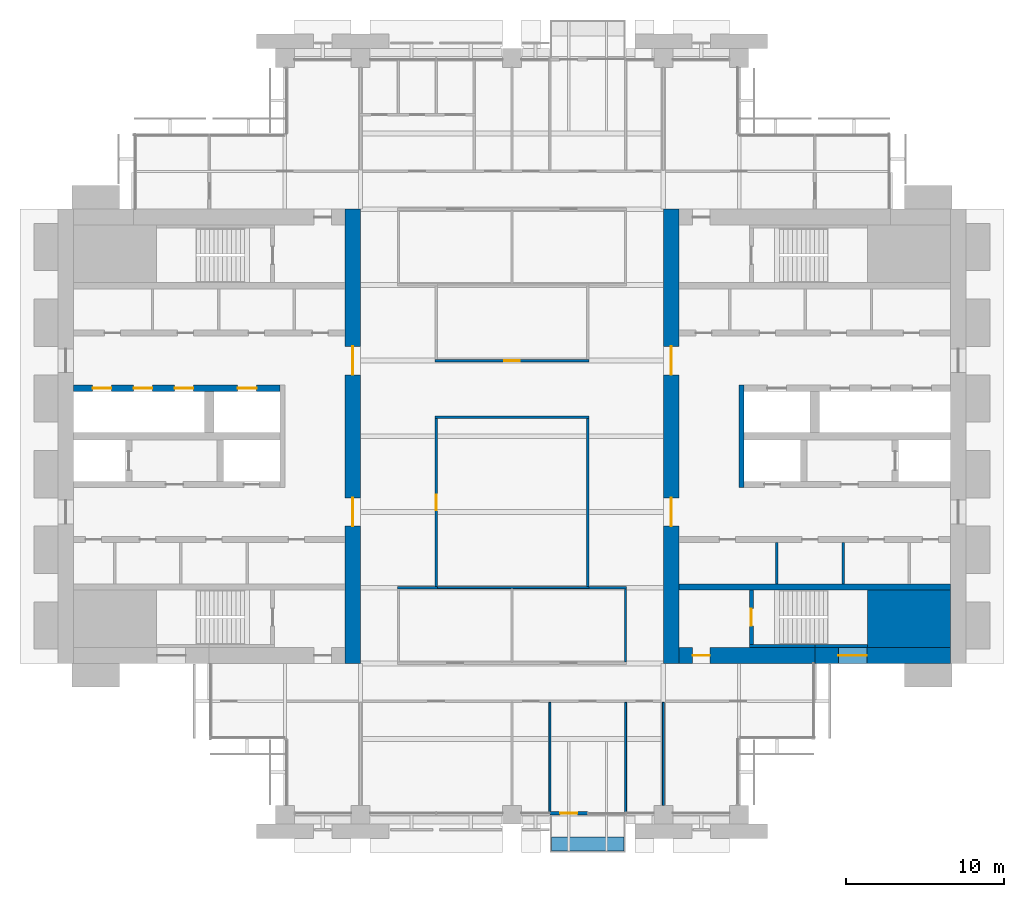
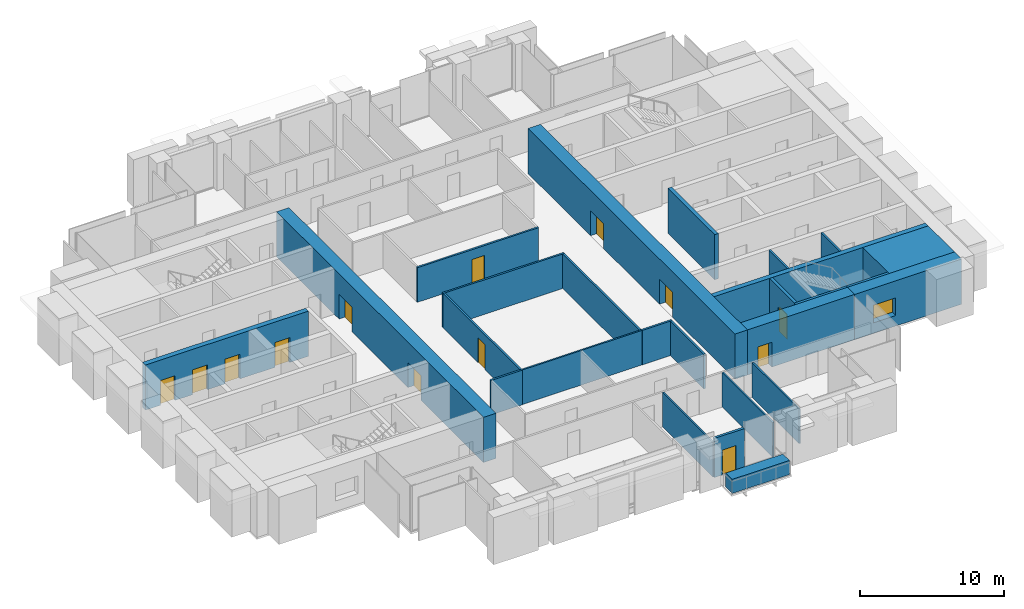
# One storey, part 10 of 15: 26 walls, 13 doors, 1 window, 14 openings.
"""IFC4 building model written with IfcOpenShell, lengths in metres."""

from ifc_helpers import new_model, si_unit, direction, frame, frame_2d, origin, place, context, subcontext, project, spatial, rectangle, extrude, material, layer, layer_set, type_object, element, fill, save


model = new_model("IFC4")

# Units and contexts
model_context = context("Model", 3, precision=1e-05, world=origin(), true_north=direction((0.0, 1.0)))
body_context = subcontext(model_context, "Body", "Model", "MODEL_VIEW")
ifc_project = project(units=[si_unit("LENGTHUNIT", "METRE"), si_unit("AREAUNIT", "SQUARE_METRE"), si_unit("VOLUMEUNIT", "CUBIC_METRE"), si_unit("PLANEANGLEUNIT", "RADIAN"), si_unit("MASSUNIT", "GRAM", prefix="KILO")], contexts=[model_context])

# Site, building, storey
site_placement = place(None, origin())
site = spatial("IfcSite", under=ifc_project, at=site_placement, CompositionType="ELEMENT")
building_placement = place(site_placement, origin())
building = spatial("IfcBuilding", under=site, at=building_placement, Name="Baori Bourse Tower", CompositionType="ELEMENT")
storey_placement = place(building_placement, frame((0.0, 0.0, 140.10009765625)))
storey = spatial("IfcBuildingStorey", under=building, at=storey_placement, Name="L30", CompositionType="ELEMENT", Elevation=140.10009765625)

# Walls
ifc_material_1 = material(Name="Concrete f'c 60 MPa", Category="concrete")
wall_type_1 = type_object("IfcWallType", Name="Core corner block f'c 60", PredefinedType="SHEAR", material=ifc_material_1)
wall_1_placement = place(storey_placement, frame((51.35009765625, 12.425048828125, 0.0), z_axis=(0.0, 0.0, 1.0), x_axis=(1.0, 0.0, 0.0)))
element("IfcWall", 1, at=wall_1_placement, inside=storey, type_object=wall_type_1, Name="Core wall E05", PredefinedType="SHEAR", context=body_context, shape_type="SweptSolid", body=[
    extrude(rectangle(XDim=5.25, YDim=3.64990234375, at=frame_2d((2.625, 0.0))), origin(), (0.0, 0.0, 1.0), 3.83984375),
])
ifc_material_2 = material(Name="Blockwork partition", Category="masonry")
ifc_layer_1 = layer(ifc_material_2, 0.14990234375)
ifc_layer_set_1 = layer_set([ifc_layer_1], Name="Core partition 150")
wall_type_2 = type_object("IfcWallType", Name="Core partition 150", PredefinedType="PARTITIONING", material=ifc_layer_set_1)
for number, where, z_axis, x_axis, name in (
    (2, (49.800048828125, 14.64990234375, 0.0), (0.0, 0.0, 1.0), (0.0, 1.0, 0.0), "Partition wall E11"),
    (3, (45.60009765625, 14.64990234375, 0.0), (0.0, 0.0, 1.0), (0.0, 1.0, 0.0), "Partition wall E12"),
):
    element("IfcWall", number, at=place(storey_placement, frame(where, z_axis=z_axis, x_axis=x_axis)), inside=storey, type_object=wall_type_2, Name=name, PredefinedType="PARTITIONING", context=body_context, shape_type="SweptSolid", body=[
        extrude(rectangle(XDim=2.60009765625, YDim=0.14990234375, at=frame_2d((1.300048828125, 0.0))), origin(), (0.0, 0.0, 1.0), 3.83984375),
    ])

# Wall, openings, doors
ifc_material_3 = material(Name="Concrete f'c 60 MPa", Category="concrete")
ifc_layer_2 = layer(ifc_material_3, 1.0)
ifc_layer_set_2 = layer_set([ifc_layer_2], Name="Core wall 1000 f'c 60")
wall_type_3 = type_object("IfcWallType", Name="Core wall 1000 f'c 60", PredefinedType="SHEAR", material=ifc_layer_set_2)
wall_2_placement = place(storey_placement, frame((18.699951171875, 38.39990234375, 0.0), z_axis=(0.0, 0.0, 1.0), x_axis=(0.0, -1.0, 0.0)))
wall_2 = element("IfcWall", 4, at=wall_2_placement, inside=storey, type_object=wall_type_3, Name="Core wall W04", PredefinedType="SHEAR", context=body_context, shape_type="SweptSolid", body=[
    extrude(rectangle(XDim=28.7998046875, YDim=1.0, at=frame_2d((14.39990234375, 0.0))), origin(), (0.0, 0.0, 1.0), 3.83984375),
])
opening_1_placement = place(wall_2_placement, frame((18.300048828125, 0.0, 0.0)))
opening_1 = element("IfcOpeningElement", 5, at=opening_1_placement, cuts=wall_2, Name="Opening L30-D107", PredefinedType="OPENING", context=body_context, shape_type="SweptSolid", body=[
    extrude(rectangle(XDim=1.800048828125, YDim=2.10009765625, at=frame_2d((0.89990234375, 1.050048828125))), frame((0.0, 0.510009765625, 0.0), z_axis=(0.0, -1.0, 0.0), x_axis=(1.0, 0.0, 0.0)), (0.0, 0.0, 1.0), 1.02001953125),
])
opening_2_placement = place(wall_2_placement, frame((8.699951171875, 0.0, 0.0)))
opening_2 = element("IfcOpeningElement", 6, at=opening_2_placement, cuts=wall_2, Name="Opening L30-D108", PredefinedType="OPENING", context=body_context, shape_type="SweptSolid", body=[
    extrude(rectangle(XDim=1.800048828125, YDim=2.10009765625, at=frame_2d((0.89990234375, 1.050048828125))), frame((0.0, 0.510009765625, 0.0), z_axis=(0.0, -1.0, 0.0), x_axis=(1.0, 0.0, 0.0)), (0.0, 0.0, 1.0), 1.02001953125),
])
ifc_material_4 = material(Name="Painted steel door", Category="steel")
door_type_1 = type_object("IfcDoorType", Name="Core lobby door 1800", OperationType="DOUBLE_DOOR_SINGLE_SWING", PredefinedType="DOOR", material=ifc_material_4)
door_1_placement = place(opening_1_placement, origin())
door_1 = element("IfcDoor", 7, at=door_1_placement, inside=storey, type_object=door_type_1, Name="Lobby door W L30", OperationType="DOUBLE_DOOR_SINGLE_SWING", OverallHeight=2.10009765625, OverallWidth=1.800048828125, PredefinedType="DOOR", context=body_context, shape_type="SweptSolid", body=[
    extrude(rectangle(XDim=1.800048828125, YDim=2.10009765625, at=frame_2d((0.89990234375, 1.050048828125))), frame((0.0, 0.02490234375, 0.0), z_axis=(0.0, -1.0, 0.0), x_axis=(1.0, 0.0, 0.0)), (0.0, 0.0, 1.0), 0.050048828125),
])
fill(opening_1, door_1)
door_2_placement = place(opening_2_placement, origin())
door_2 = element("IfcDoor", 8, at=door_2_placement, inside=storey, type_object=door_type_1, Name="Lobby door W L30", OperationType="DOUBLE_DOOR_SINGLE_SWING", OverallHeight=2.10009765625, OverallWidth=1.800048828125, PredefinedType="DOOR", context=body_context, shape_type="SweptSolid", body=[
    extrude(rectangle(XDim=1.800048828125, YDim=2.10009765625, at=frame_2d((0.89990234375, 1.050048828125))), frame((0.0, 0.02490234375, 0.0), z_axis=(0.0, -1.0, 0.0), x_axis=(1.0, 0.0, 0.0)), (0.0, 0.0, 1.0), 0.050048828125),
])
fill(opening_2, door_2)

# Wall, opening, window
wall_3_placement = place(storey_placement, frame((56.60009765625, 10.10009765625, 0.0), z_axis=(0.0, 0.0, 1.0), x_axis=(-1.0, 0.0, 0.0)))
wall_3 = element("IfcWall", 9, at=wall_3_placement, inside=storey, type_object=wall_type_3, Name="Core wall E02", PredefinedType="SHEAR", context=body_context, shape_type="SweptSolid", body=[
    extrude(rectangle(XDim=8.60009765625, YDim=1.0, at=frame_2d((4.300048828125, 0.0))), origin(), (0.0, 0.0, 1.0), 3.83984375),
])
opening_3_placement = place(wall_3_placement, frame((5.300048828125, 0.0, 0.89990234375)))
opening_3 = element("IfcOpeningElement", 10, at=opening_3_placement, cuts=wall_3, Name="Opening L30-KW203", PredefinedType="OPENING", context=body_context, shape_type="SweptSolid", body=[
    extrude(rectangle(XDim=1.800048828125, YDim=1.5, at=frame_2d((0.89990234375, 0.75))), frame((0.0, 0.510009765625, 0.0), z_axis=(0.0, -1.0, 0.0), x_axis=(1.0, 0.0, 0.0)), (0.0, 0.0, 1.0), 1.02001953125),
])
ifc_material_5 = material(Name="Pale anodised aluminium", Category="aluminium")
window_type = type_object("IfcWindowType", Name="Stair window 1800 x 1500", PartitioningType="SINGLE_PANEL", PredefinedType="WINDOW", material=ifc_material_5)
window_placement = place(opening_3_placement, origin())
window = element("IfcWindow", 11, at=window_placement, inside=storey, type_object=window_type, Name="Stair window E L30 3", OverallHeight=1.5, OverallWidth=1.800048828125, PartitioningType="SINGLE_PANEL", PredefinedType="WINDOW", context=body_context, shape_type="SweptSolid", body=[
    extrude(rectangle(XDim=1.800048828125, YDim=1.5, at=frame_2d((0.89990234375, 0.75))), frame((0.0, 0.030029296875, 0.0), z_axis=(0.0, -1.0, 0.0), x_axis=(1.0, 0.0, 0.0)), (0.0, 0.0, 1.0), 0.06005859375),
])
fill(opening_3, window)

# Wall, opening, door
wall_4_placement = place(storey_placement, frame((48.0, 10.10009765625, 0.0), z_axis=(0.0, 0.0, 1.0), x_axis=(-1.0, 0.0, 0.0)))
wall_4 = element("IfcWall", 12, at=wall_4_placement, inside=storey, type_object=wall_type_3, Name="Core wall E03", PredefinedType="SHEAR", context=body_context, shape_type="SweptSolid", body=[
    extrude(rectangle(XDim=8.60009765625, YDim=1.0, at=frame_2d((4.300048828125, 0.0))), origin(), (0.0, 0.0, 1.0), 3.83984375),
])
opening_4_placement = place(wall_4_placement, frame((6.64990234375, 0.0, 0.0)))
opening_4 = element("IfcOpeningElement", 13, at=opening_4_placement, cuts=wall_4, Name="Opening L30-D202", PredefinedType="OPENING", context=body_context, shape_type="SweptSolid", body=[
    extrude(rectangle(XDim=1.10009765625, YDim=2.10009765625, at=frame_2d((0.550048828125, 1.050048828125))), frame((0.0, 0.510009765625, 0.0), z_axis=(0.0, -1.0, 0.0), x_axis=(1.0, 0.0, 0.0)), (0.0, 0.0, 1.0), 1.02001953125),
])
ifc_material_6 = material(Name="Painted steel door", Category="steel")
door_type_2 = type_object("IfcDoorType", Name="Stair door 1100", OperationType="SINGLE_SWING_LEFT", PredefinedType="DOOR", material=ifc_material_6)
door_3_placement = place(opening_4_placement, origin())
door_3 = element("IfcDoor", 14, at=door_3_placement, inside=storey, type_object=door_type_2, Name="Stair vestibule door A E L30", OperationType="SINGLE_SWING_LEFT", OverallHeight=2.10009765625, OverallWidth=1.10009765625, PredefinedType="DOOR", context=body_context, shape_type="SweptSolid", body=[
    extrude(rectangle(XDim=1.10009765625, YDim=2.10009765625, at=frame_2d((0.550048828125, 1.050048828125))), frame((0.0, 0.02490234375, 0.0), z_axis=(0.0, -1.0, 0.0), x_axis=(1.0, 0.0, 0.0)), (0.0, 0.0, 1.0), 0.050048828125),
])
fill(opening_4, door_3)

# Wall, openings, doors
wall_5_placement = place(storey_placement, frame((38.89990234375, 9.60009765625, 0.0), z_axis=(0.0, 0.0, 1.0), x_axis=(0.0, 1.0, 0.0)))
wall_5 = element("IfcWall", 15, at=wall_5_placement, inside=storey, type_object=wall_type_3, Name="Core wall E04", PredefinedType="SHEAR", context=body_context, shape_type="SweptSolid", body=[
    extrude(rectangle(XDim=28.7998046875, YDim=1.0, at=frame_2d((14.39990234375, 0.0))), origin(), (0.0, 0.0, 1.0), 3.83984375),
])
opening_5_placement = place(wall_5_placement, frame((8.699951171875, 0.0, 0.0)))
opening_5 = element("IfcOpeningElement", 16, at=opening_5_placement, cuts=wall_5, Name="Opening L30-D207", PredefinedType="OPENING", context=body_context, shape_type="SweptSolid", body=[
    extrude(rectangle(XDim=1.800048828125, YDim=2.10009765625, at=frame_2d((0.89990234375, 1.050048828125))), frame((0.0, 0.510009765625, 0.0), z_axis=(0.0, -1.0, 0.0), x_axis=(1.0, 0.0, 0.0)), (0.0, 0.0, 1.0), 1.02001953125),
])
opening_6_placement = place(wall_5_placement, frame((18.300048828125, 0.0, 0.0)))
opening_6 = element("IfcOpeningElement", 17, at=opening_6_placement, cuts=wall_5, Name="Opening L30-D208", PredefinedType="OPENING", context=body_context, shape_type="SweptSolid", body=[
    extrude(rectangle(XDim=1.800048828125, YDim=2.10009765625, at=frame_2d((0.89990234375, 1.050048828125))), frame((0.0, 0.510009765625, 0.0), z_axis=(0.0, -1.0, 0.0), x_axis=(1.0, 0.0, 0.0)), (0.0, 0.0, 1.0), 1.02001953125),
])
door_4_placement = place(opening_5_placement, origin())
door_4 = element("IfcDoor", 18, at=door_4_placement, inside=storey, type_object=door_type_1, Name="Lobby door E L30", OperationType="DOUBLE_DOOR_SINGLE_SWING", OverallHeight=2.10009765625, OverallWidth=1.800048828125, PredefinedType="DOOR", context=body_context, shape_type="SweptSolid", body=[
    extrude(rectangle(XDim=1.800048828125, YDim=2.10009765625, at=frame_2d((0.89990234375, 1.050048828125))), frame((0.0, 0.02490234375, 0.0), z_axis=(0.0, -1.0, 0.0), x_axis=(1.0, 0.0, 0.0)), (0.0, 0.0, 1.0), 0.050048828125),
])
fill(opening_5, door_4)
door_5_placement = place(opening_6_placement, origin())
door_5 = element("IfcDoor", 19, at=door_5_placement, inside=storey, type_object=door_type_1, Name="Lobby door E L30", OperationType="DOUBLE_DOOR_SINGLE_SWING", OverallHeight=2.10009765625, OverallWidth=1.800048828125, PredefinedType="DOOR", context=body_context, shape_type="SweptSolid", body=[
    extrude(rectangle(XDim=1.800048828125, YDim=2.10009765625, at=frame_2d((0.89990234375, 1.050048828125))), frame((0.0, 0.02490234375, 0.0), z_axis=(0.0, -1.0, 0.0), x_axis=(1.0, 0.0, 0.0)), (0.0, 0.0, 1.0), 0.050048828125),
])
fill(opening_6, door_5)

# Walls
ifc_material_7 = material(Name="Gypsum board partition")
ifc_layer_3 = layer(ifc_material_7, 0.14990234375)
ifc_layer_set_3 = layer_set([ifc_layer_3], Name="Corridor partition 150")
wall_type_4 = type_object("IfcWallType", Name="Corridor partition 150", PredefinedType="PARTITIONING", material=ifc_layer_set_3)
wall_6_placement = place(storey_placement, frame((21.52490234375, 14.39990234375, 0.0), z_axis=(0.0, 0.0, 1.0), x_axis=(1.0, 0.0, 0.0)))
element("IfcWall", 20, at=wall_6_placement, inside=storey, type_object=wall_type_4, Name="Partition", PredefinedType="PARTITIONING", context=body_context, shape_type="SweptSolid", body=[
    extrude(rectangle(XDim=2.550048828125, YDim=0.14990234375, at=frame_2d((1.27490234375, 0.0))), origin(), (0.0, 0.0, 1.0), 2.935546875),
])
wall_7_placement = place(storey_placement, frame((33.675048828125, 14.39990234375, 0.0), z_axis=(0.0, 0.0, 1.0), x_axis=(1.0, 0.0, 0.0)))
element("IfcWall", 21, at=wall_7_placement, inside=storey, type_object=wall_type_4, Name="Partition", PredefinedType="PARTITIONING", context=body_context, shape_type="SweptSolid", body=[
    extrude(rectangle(XDim=2.39990234375, YDim=0.14990234375, at=frame_2d((1.199951171875, 0.0))), origin(), (0.0, 0.0, 1.0), 2.935546875),
])
wall_8_placement = place(storey_placement, frame((23.925048828125, 25.199951171875, 0.0), z_axis=(0.0, 0.0, 1.0), x_axis=(1.0, 0.0, 0.0)))
element("IfcWall", 22, at=wall_8_placement, inside=storey, type_object=wall_type_4, Name="Partition", PredefinedType="PARTITIONING", context=body_context, shape_type="SweptSolid", body=[
    extrude(rectangle(XDim=9.75, YDim=0.14990234375, at=frame_2d((4.875, 0.0))), origin(), (0.0, 0.0, 1.0), 2.935546875),
])

# Wall, opening, door
wall_9_placement = place(storey_placement, frame((23.925048828125, 28.800048828125, 0.0), z_axis=(0.0, 0.0, 1.0), x_axis=(1.0, 0.0, 0.0)))
wall_9 = element("IfcWall", 23, at=wall_9_placement, inside=storey, type_object=wall_type_4, Name="Partition", PredefinedType="PARTITIONING", context=body_context, shape_type="SweptSolid", body=[
    extrude(rectangle(XDim=9.75, YDim=0.14990234375, at=frame_2d((4.875, 0.0))), origin(), (0.0, 0.0, 1.0), 2.935546875),
])
opening_7_placement = place(wall_9_placement, frame((4.375, 0.0, 0.0)))
opening_7 = element("IfcOpeningElement", 24, at=opening_7_placement, cuts=wall_9, Name="Opening L30-D09", PredefinedType="OPENING", context=body_context, shape_type="SweptSolid", body=[
    extrude(rectangle(XDim=1.0, YDim=2.10009765625, at=frame_2d((0.5, 1.050048828125))), frame((0.0, 0.0849609375, 0.0), z_axis=(0.0, -1.0, 0.0), x_axis=(1.0, 0.0, 0.0)), (0.0, 0.0, 1.0), 0.169921875),
])
ifc_material_8 = material(Name="Timber door leaf", Category="wood")
door_type_3 = type_object("IfcDoorType", Name="Door 1000 x 2100", OperationType="SINGLE_SWING_LEFT", PredefinedType="DOOR", material=ifc_material_8)
door_6_placement = place(opening_7_placement, origin())
door_6 = element("IfcDoor", 25, at=door_6_placement, inside=storey, type_object=door_type_3, Name="Door", OperationType="SINGLE_SWING_LEFT", OverallHeight=2.10009765625, OverallWidth=1.0, PredefinedType="DOOR", context=body_context, shape_type="SweptSolid", body=[
    extrude(rectangle(XDim=1.0, YDim=2.10009765625, at=frame_2d((0.5, 1.050048828125))), frame((0.0, 0.02490234375, 0.0), z_axis=(0.0, -1.0, 0.0), x_axis=(1.0, 0.0, 0.0)), (0.0, 0.0, 1.0), 0.050048828125),
])
fill(opening_7, door_6)

wall_10_placement = place(storey_placement, frame((24.0, 14.47509765625, 0.0), z_axis=(0.0, 0.0, 1.0), x_axis=(0.0, 1.0, 0.0)))
wall_10 = element("IfcWall", 26, at=wall_10_placement, inside=storey, type_object=wall_type_4, Name="Partition", PredefinedType="PARTITIONING", context=body_context, shape_type="SweptSolid", body=[
    extrude(rectangle(XDim=10.64990234375, YDim=0.14990234375, at=frame_2d((5.324951171875, 0.0))), origin(), (0.0, 0.0, 1.0), 2.935546875),
])
opening_8_placement = place(wall_10_placement, frame((4.824951171875, 0.0, 0.0)))
opening_8 = element("IfcOpeningElement", 27, at=opening_8_placement, cuts=wall_10, Name="Opening L30-D23", PredefinedType="OPENING", context=body_context, shape_type="SweptSolid", body=[
    extrude(rectangle(XDim=1.0, YDim=2.10009765625, at=frame_2d((0.5, 1.050048828125))), frame((0.0, 0.0849609375, 0.0), z_axis=(0.0, -1.0, 0.0), x_axis=(1.0, 0.0, 0.0)), (0.0, 0.0, 1.0), 0.169921875),
])
door_7_placement = place(opening_8_placement, origin())
door_7 = element("IfcDoor", 28, at=door_7_placement, inside=storey, type_object=door_type_3, Name="Door", OperationType="SINGLE_SWING_RIGHT", OverallHeight=2.10009765625, OverallWidth=1.0, PredefinedType="DOOR", context=body_context, shape_type="SweptSolid", body=[
    extrude(rectangle(XDim=1.0, YDim=2.10009765625, at=frame_2d((0.5, 1.050048828125))), frame((0.0, 0.02490234375, 0.0), z_axis=(0.0, -1.0, 0.0), x_axis=(1.0, 0.0, 0.0)), (0.0, 0.0, 1.0), 0.050048828125),
])
fill(opening_8, door_7)

# Walls
wall_11_placement = place(storey_placement, frame((33.60009765625, 14.47509765625, 0.0), z_axis=(0.0, 0.0, 1.0), x_axis=(0.0, 1.0, 0.0)))
element("IfcWall", 29, at=wall_11_placement, inside=storey, type_object=wall_type_4, Name="Partition", PredefinedType="PARTITIONING", context=body_context, shape_type="SweptSolid", body=[
    extrude(rectangle(XDim=10.64990234375, YDim=0.14990234375, at=frame_2d((5.324951171875, 0.0))), origin(), (0.0, 0.0, 1.0), 2.935546875),
])
wall_12_placement = place(storey_placement, frame((36.0, 9.675048828125, 0.0), z_axis=(0.0, 0.0, 1.0), x_axis=(0.0, 1.0, 0.0)))
element("IfcWall", 30, at=wall_12_placement, inside=storey, type_object=wall_type_4, Name="Partition", PredefinedType="PARTITIONING", context=body_context, shape_type="SweptSolid", body=[
    extrude(rectangle(XDim=4.64990234375, YDim=0.14990234375, at=frame_2d((2.324951171875, 0.0))), origin(), (0.0, 0.0, 1.0), 2.935546875),
])

# Wall, opening, door
ifc_material_9 = material(Name="Pale anodised aluminium", Category="aluminium")
ifc_layer_4 = layer(ifc_material_9, 0.199951171875)
ifc_layer_set_4 = layer_set([ifc_layer_4], Name="EW1 External wall bay")
wall_type_5 = type_object("IfcWallType", Name="EW1 External wall bay", PredefinedType="SOLIDWALL", material=ifc_layer_set_4)
wall_13_placement = place(storey_placement, frame((31.199951171875, 0.10009765625, 0.0), z_axis=(0.0, 0.0, 1.0), x_axis=(1.0, 0.0, 0.0)))
wall_13 = element("IfcWall", 31, at=wall_13_placement, inside=storey, type_object=wall_type_5, Name="External wall bay L30 2", PredefinedType="SOLIDWALL", context=body_context, shape_type="SweptSolid", body=[
    extrude(rectangle(XDim=2.400146484375, YDim=0.199951171875, at=frame_2d((1.2001953125, 0.0))), origin(), (0.0, 0.0, 1.0), 3.314208984375),
])
opening_9_placement = place(wall_13_placement, frame((0.64990234375, 0.0, 0.0)))
opening_9 = element("IfcOpeningElement", 32, at=opening_9_placement, cuts=wall_13, Name="Opening L30-D92", PredefinedType="OPENING", context=body_context, shape_type="SweptSolid", body=[
    extrude(rectangle(XDim=1.10009765625, YDim=2.10009765625, at=frame_2d((0.550048828125, 1.050048828125))), frame((0.0, 0.10986328125, 0.0), z_axis=(0.0, -1.0, 0.0), x_axis=(1.0, 0.0, 0.0)), (0.0, 0.0, 1.0), 0.219970703125),
])
ifc_material_10 = material(Name="Pale anodised aluminium", Category="aluminium")
door_type_4 = type_object("IfcDoorType", Name="BL1 Balcony door", OperationType="SINGLE_SWING_LEFT", PredefinedType="DOOR", material=ifc_material_10)
door_8_placement = place(opening_9_placement, origin())
door_8 = element("IfcDoor", 33, at=door_8_placement, inside=storey, type_object=door_type_4, Name="Balcony door L30 2", OperationType="SINGLE_SWING_LEFT", OverallHeight=2.10009765625, OverallWidth=1.10009765625, PredefinedType="DOOR", context=body_context, shape_type="SweptSolid", body=[
    extrude(rectangle(XDim=1.10009765625, YDim=2.10009765625, at=frame_2d((0.550048828125, 1.050048828125))), frame((0.0, 0.02490234375, 0.0), z_axis=(0.0, -1.0, 0.0), x_axis=(1.0, 0.0, 0.0)), (0.0, 0.0, 1.0), 0.050048828125),
])
fill(opening_9, door_8)

# Walls
ifc_material_11 = material(Name="Concrete f'c 40 MPa", Category="concrete")
ifc_layer_5 = layer(ifc_material_11, 0.89990234375)
ifc_layer_set_5 = layer_set([ifc_layer_5], Name="PW1 Planter wall")
wall_type_6 = type_object("IfcWallType", Name="PW1 Planter wall", PredefinedType="USERDEFINED", material=ifc_layer_set_5)
wall_14_placement = place(storey_placement, frame((31.300048828125, -1.85009765625, 0.0), z_axis=(0.0, 0.0, 1.0), x_axis=(1.0, 0.0, 0.0)))
element("IfcWall", 34, at=wall_14_placement, inside=storey, type_object=wall_type_6, Name="Planter balcony S L30 1", ObjectType="PLANTER", PredefinedType="USERDEFINED", context=body_context, shape_type="SweptSolid", body=[
    extrude(rectangle(XDim=4.599853515625, YDim=0.89990234375, at=frame_2d((2.2998046875, 0.0))), origin(), (0.0, 0.0, 1.0), 1.199951171875),
])
ifc_material_12 = material(Name="Gypsum board partition")
ifc_layer_6 = layer(ifc_material_12, 0.125)
ifc_layer_set_6 = layer_set([ifc_layer_6], Name="Partition 125")
wall_type_7 = type_object("IfcWallType", Name="Partition 125", PredefinedType="PARTITIONING", material=ifc_layer_set_6)
wall_15_placement = place(storey_placement, frame((24.074951171875, 14.39990234375, 0.0), z_axis=(0.0, 0.0, 1.0), x_axis=(1.0, 0.0, 0.0)))
element("IfcWall", 35, at=wall_15_placement, inside=storey, type_object=wall_type_7, Name="Partition", PredefinedType="PARTITIONING", context=body_context, shape_type="SweptSolid", body=[
    extrude(rectangle(XDim=9.60009765625, YDim=0.125, at=frame_2d((4.800048828125, 0.0))), origin(), (0.0, 0.0, 1.0), 2.935546875),
])
for number, where, z_axis, x_axis, name in (
    (36, (31.199951171875, 0.10009765625, 0.0), (0.0, 0.0, 1.0), (0.0, 1.0, 0.0), "Partition"),
    (37, (36.0, 0.10009765625, 0.0), (0.0, 0.0, 1.0), (0.0, 1.0, 0.0), "Partition"),
):
    element("IfcWall", number, at=place(storey_placement, frame(where, z_axis=z_axis, x_axis=x_axis)), inside=storey, type_object=wall_type_7, Name=name, PredefinedType="PARTITIONING", context=body_context, shape_type="SweptSolid", body=[
        extrude(rectangle(XDim=7.02490234375, YDim=0.125, at=frame_2d((3.512451171875, 0.0))), origin(), (0.0, 0.0, 1.0), 2.935546875),
    ])
wall_16_placement = place(storey_placement, frame((38.39990234375, 0.60009765625, 0.0), z_axis=(0.0, 0.0, 1.0), x_axis=(0.0, 1.0, 0.0)))
element("IfcWall", 38, at=wall_16_placement, inside=storey, type_object=wall_type_7, Name="Partition", PredefinedType="PARTITIONING", context=body_context, shape_type="SweptSolid", body=[
    extrude(rectangle(XDim=6.52490234375, YDim=0.125, at=frame_2d((3.262451171875, 0.0))), origin(), (0.0, 0.0, 1.0), 2.935546875),
])
ifc_material_13 = material(Name="Concrete f'c 60 MPa", Category="concrete")
ifc_layer_7 = layer(ifc_material_13, 0.199951171875)
ifc_layer_set_7 = layer_set([ifc_layer_7], Name="Shaft wall 200 f'c 60")
wall_type_8 = type_object("IfcWallType", Name="Shaft wall 200 f'c 60", PredefinedType="SHEAR", material=ifc_layer_set_7)
wall_17_placement = place(storey_placement, frame((48.0, 10.699951171875, 0.0), z_axis=(0.0, 0.0, 1.0), x_axis=(1.0, 0.0, 0.0)))
element("IfcWall", 39, at=wall_17_placement, inside=storey, type_object=wall_type_8, Name="Core wall E06", PredefinedType="SHEAR", context=body_context, shape_type="SweptSolid", body=[
    extrude(rectangle(XDim=3.35009765625, YDim=0.199951171875, at=frame_2d((1.675048828125, 0.0))), origin(), (0.0, 0.0, 1.0), 3.83984375),
])
wall_18_placement = place(storey_placement, frame((43.85009765625, 10.699951171875, 0.0), z_axis=(0.0, 0.0, 1.0), x_axis=(1.0, 0.0, 0.0)))
element("IfcWall", 40, at=wall_18_placement, inside=storey, type_object=wall_type_8, Name="Core wall E07", PredefinedType="SHEAR", context=body_context, shape_type="SweptSolid", body=[
    extrude(rectangle(XDim=4.14990234375, YDim=0.199951171875, at=frame_2d((2.074951171875, 0.0))), origin(), (0.0, 0.0, 1.0), 3.83984375),
])

# Wall, opening, door
ifc_material_14 = material(Name="Concrete f'c 60 MPa", Category="concrete")
ifc_layer_8 = layer(ifc_material_14, 0.25)
ifc_layer_set_8 = layer_set([ifc_layer_8], Name="Shaft wall 250 f'c 60")
wall_type_9 = type_object("IfcWallType", Name="Shaft wall 250 f'c 60", PredefinedType="SHEAR", material=ifc_layer_set_8)
wall_19_placement = place(storey_placement, frame((43.97509765625, 10.800048828125, 0.0), z_axis=(0.0, 0.0, 1.0), x_axis=(0.0, 1.0, 0.0)))
wall_19 = element("IfcWall", 41, at=wall_19_placement, inside=storey, type_object=wall_type_9, Name="Core wall E08", PredefinedType="SHEAR", context=body_context, shape_type="SweptSolid", body=[
    extrude(rectangle(XDim=3.449951171875, YDim=0.25, at=frame_2d((1.72509765625, 0.0))), origin(), (0.0, 0.0, 1.0), 3.83984375),
])
opening_10_placement = place(wall_19_placement, frame((1.175048828125, 0.0, 0.0)))
opening_10 = element("IfcOpeningElement", 42, at=opening_10_placement, cuts=wall_19, Name="Opening L30-D201", PredefinedType="OPENING", context=body_context, shape_type="SweptSolid", body=[
    extrude(rectangle(XDim=1.10009765625, YDim=2.10009765625, at=frame_2d((0.550048828125, 1.050048828125))), frame((0.0, 0.135009765625, 0.0), z_axis=(0.0, -1.0, 0.0), x_axis=(1.0, 0.0, 0.0)), (0.0, 0.0, 1.0), 0.27001953125),
])
door_9_placement = place(opening_10_placement, origin())
door_9 = element("IfcDoor", 43, at=door_9_placement, inside=storey, type_object=door_type_2, Name="Stair door A E L30", OperationType="SINGLE_SWING_LEFT", OverallHeight=2.10009765625, OverallWidth=1.10009765625, PredefinedType="DOOR", context=body_context, shape_type="SweptSolid", body=[
    extrude(rectangle(XDim=1.10009765625, YDim=2.10009765625, at=frame_2d((0.550048828125, 1.050048828125))), frame((0.0, 0.02490234375, 0.0), z_axis=(0.0, -1.0, 0.0), x_axis=(1.0, 0.0, 0.0)), (0.0, 0.0, 1.0), 0.050048828125),
])
fill(opening_10, door_9)

# Wall
ifc_material_15 = material(Name="Concrete f'c 60 MPa", Category="concrete")
ifc_layer_9 = layer(ifc_material_15, 0.300048828125)
ifc_layer_set_9 = layer_set([ifc_layer_9], Name="Shaft wall 300 f'c 60")
wall_type_10 = type_object("IfcWallType", Name="Shaft wall 300 f'c 60", PredefinedType="SHEAR", material=ifc_layer_set_9)
wall_20_placement = place(storey_placement, frame((43.35009765625, 20.75, 0.0), z_axis=(0.0, 0.0, 1.0), x_axis=(0.0, 1.0, 0.0)))
element("IfcWall", 44, at=wall_20_placement, inside=storey, type_object=wall_type_10, Name="Core wall E15", PredefinedType="SHEAR", context=body_context, shape_type="SweptSolid", body=[
    extrude(rectangle(XDim=6.5, YDim=0.300048828125, at=frame_2d((3.25, 0.0))), origin(), (0.0, 0.0, 1.0), 3.83984375),
])

# Wall, openings, doors
ifc_material_16 = material(Name="Concrete f'c 60 MPa", Category="concrete")
ifc_layer_10 = layer(ifc_material_16, 0.39990234375)
ifc_layer_set_10 = layer_set([ifc_layer_10], Name="Shaft wall 400 f'c 60")
wall_type_11 = type_object("IfcWallType", Name="Shaft wall 400 f'c 60", PredefinedType="SHEAR", material=ifc_layer_set_10)
wall_21_placement = place(storey_placement, frame((1.0, 27.050048828125, 0.0), z_axis=(0.0, 0.0, 1.0), x_axis=(1.0, 0.0, 0.0)))
wall_21 = element("IfcWall", 45, at=wall_21_placement, inside=storey, type_object=wall_type_11, Name="Core wall W20", PredefinedType="SHEAR", context=body_context, shape_type="SweptSolid", body=[
    extrude(rectangle(XDim=13.10009765625, YDim=0.39990234375, at=frame_2d((6.550048828125, 0.0))), origin(), (0.0, 0.0, 1.0), 3.83984375),
])
opening_11_placement = place(wall_21_placement, frame((1.199951171875, 0.0, 0.0)))
opening_11 = element("IfcOpeningElement", 46, at=opening_11_placement, cuts=wall_21, Name="Opening L30-D117", PredefinedType="OPENING", context=body_context, shape_type="SweptSolid", body=[
    extrude(rectangle(XDim=1.199951171875, YDim=2.10009765625, at=frame_2d((0.60009765625, 1.050048828125))), frame((0.0, 0.2099609375, 0.0), z_axis=(0.0, -1.0, 0.0), x_axis=(1.0, 0.0, 0.0)), (0.0, 0.0, 1.0), 0.419921875),
])
opening_12_placement = place(wall_21_placement, frame((3.800048828125, 0.0, 0.0)))
opening_12 = element("IfcOpeningElement", 47, at=opening_12_placement, cuts=wall_21, Name="Opening L30-D118", PredefinedType="OPENING", context=body_context, shape_type="SweptSolid", body=[
    extrude(rectangle(XDim=1.199951171875, YDim=2.10009765625, at=frame_2d((0.60009765625, 1.050048828125))), frame((0.0, 0.2099609375, 0.0), z_axis=(0.0, -1.0, 0.0), x_axis=(1.0, 0.0, 0.0)), (0.0, 0.0, 1.0), 0.419921875),
])
opening_13_placement = place(wall_21_placement, frame((6.39990234375, 0.0, 0.0)))
opening_13 = element("IfcOpeningElement", 48, at=opening_13_placement, cuts=wall_21, Name="Opening L30-D119", PredefinedType="OPENING", context=body_context, shape_type="SweptSolid", body=[
    extrude(rectangle(XDim=1.199951171875, YDim=2.10009765625, at=frame_2d((0.60009765625, 1.050048828125))), frame((0.0, 0.2099609375, 0.0), z_axis=(0.0, -1.0, 0.0), x_axis=(1.0, 0.0, 0.0)), (0.0, 0.0, 1.0), 0.419921875),
])
opening_14_placement = place(wall_21_placement, frame((10.39990234375, 0.0, 0.0)))
opening_14 = element("IfcOpeningElement", 49, at=opening_14_placement, cuts=wall_21, Name="Opening L30-D120", PredefinedType="OPENING", context=body_context, shape_type="SweptSolid", body=[
    extrude(rectangle(XDim=1.199951171875, YDim=2.10009765625, at=frame_2d((0.60009765625, 1.050048828125))), frame((0.0, 0.2099609375, 0.0), z_axis=(0.0, -1.0, 0.0), x_axis=(1.0, 0.0, 0.0)), (0.0, 0.0, 1.0), 0.419921875),
])
ifc_material_17 = material(Name="Stainless steel door", Category="steel")
door_type_5 = type_object("IfcDoorType", Name="Lift landing door", OperationType="DOUBLE_DOOR_SLIDING", PredefinedType="DOOR", material=ifc_material_17)
door_10_placement = place(opening_11_placement, origin())
door_10 = element("IfcDoor", 50, at=door_10_placement, inside=storey, type_object=door_type_5, Name="Lift landing door SH1 W L30", OperationType="DOUBLE_DOOR_SLIDING", OverallHeight=2.10009765625, OverallWidth=1.199951171875, PredefinedType="DOOR", context=body_context, shape_type="SweptSolid", body=[
    extrude(rectangle(XDim=1.199951171875, YDim=2.10009765625, at=frame_2d((0.60009765625, 1.050048828125))), frame((0.0, 0.02490234375, 0.0), z_axis=(0.0, -1.0, 0.0), x_axis=(1.0, 0.0, 0.0)), (0.0, 0.0, 1.0), 0.050048828125),
])
fill(opening_11, door_10)
door_11_placement = place(opening_12_placement, origin())
door_11 = element("IfcDoor", 51, at=door_11_placement, inside=storey, type_object=door_type_5, Name="Lift landing door SH2 W L30", OperationType="DOUBLE_DOOR_SLIDING", OverallHeight=2.10009765625, OverallWidth=1.199951171875, PredefinedType="DOOR", context=body_context, shape_type="SweptSolid", body=[
    extrude(rectangle(XDim=1.199951171875, YDim=2.10009765625, at=frame_2d((0.60009765625, 1.050048828125))), frame((0.0, 0.02490234375, 0.0), z_axis=(0.0, -1.0, 0.0), x_axis=(1.0, 0.0, 0.0)), (0.0, 0.0, 1.0), 0.050048828125),
])
fill(opening_12, door_11)
door_12_placement = place(opening_13_placement, origin())
door_12 = element("IfcDoor", 52, at=door_12_placement, inside=storey, type_object=door_type_5, Name="Lift landing door SH3 W L30", OperationType="DOUBLE_DOOR_SLIDING", OverallHeight=2.10009765625, OverallWidth=1.199951171875, PredefinedType="DOOR", context=body_context, shape_type="SweptSolid", body=[
    extrude(rectangle(XDim=1.199951171875, YDim=2.10009765625, at=frame_2d((0.60009765625, 1.050048828125))), frame((0.0, 0.02490234375, 0.0), z_axis=(0.0, -1.0, 0.0), x_axis=(1.0, 0.0, 0.0)), (0.0, 0.0, 1.0), 0.050048828125),
])
fill(opening_13, door_12)
door_13_placement = place(opening_14_placement, origin())
door_13 = element("IfcDoor", 53, at=door_13_placement, inside=storey, type_object=door_type_5, Name="Lift landing door SV1 W L30", OperationType="DOUBLE_DOOR_SLIDING", OverallHeight=2.10009765625, OverallWidth=1.199951171875, PredefinedType="DOOR", context=body_context, shape_type="SweptSolid", body=[
    extrude(rectangle(XDim=1.199951171875, YDim=2.10009765625, at=frame_2d((0.60009765625, 1.050048828125))), frame((0.0, 0.02490234375, 0.0), z_axis=(0.0, -1.0, 0.0), x_axis=(1.0, 0.0, 0.0)), (0.0, 0.0, 1.0), 0.050048828125),
])
fill(opening_14, door_13)

# Wall
wall_22_placement = place(storey_placement, frame((39.39990234375, 14.449951171875, 0.0), z_axis=(0.0, 0.0, 1.0), x_axis=(1.0, 0.0, 0.0)))
element("IfcWall", 54, at=wall_22_placement, inside=storey, type_object=wall_type_11, Name="Core wall E09", PredefinedType="SHEAR", context=body_context, shape_type="SweptSolid", body=[
    extrude(rectangle(XDim=17.2001953125, YDim=0.39990234375, at=frame_2d((8.60009765625, 0.0))), origin(), (0.0, 0.0, 1.0), 3.83984375),
])

save(model, "model.ifc")
